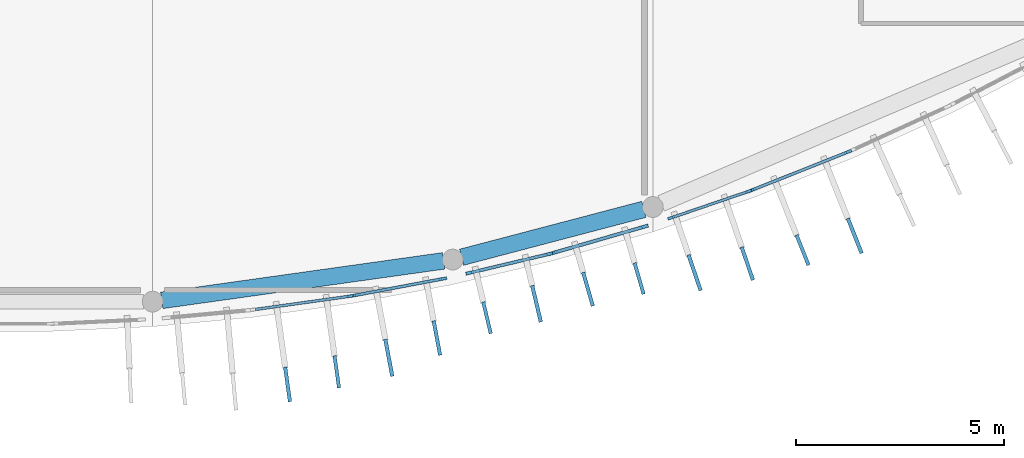
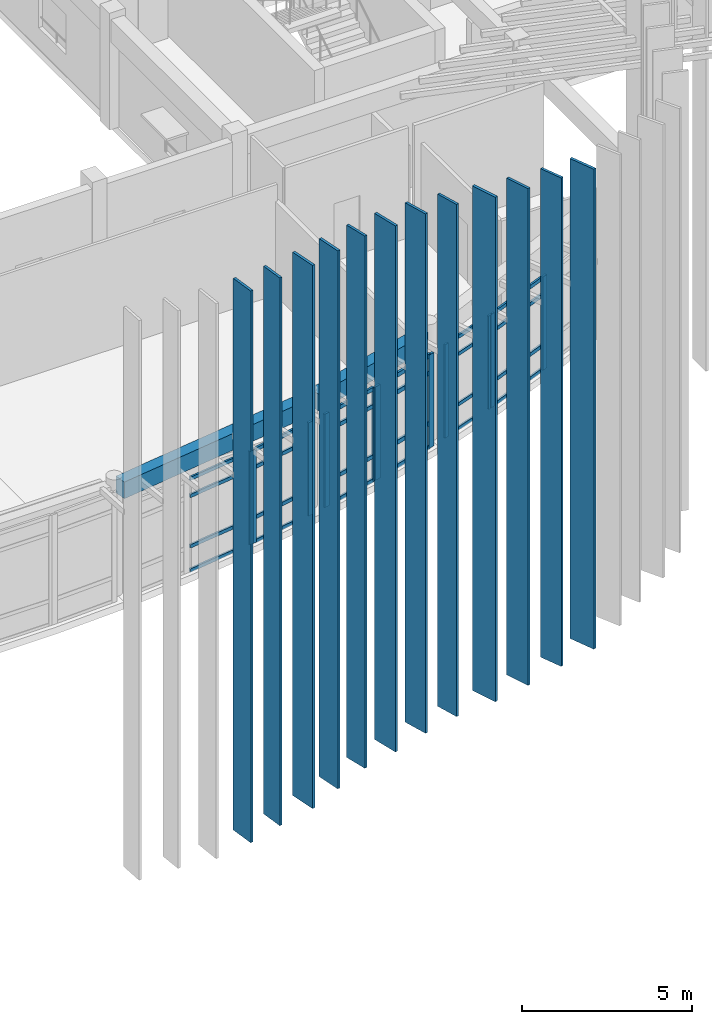
# One storey, part 9 of 47: 47 members, 2 beams, 6 elements without a shape of their own.
"""IFC4 building model written with IfcOpenShell, lengths in metres."""

from ifc_helpers import new_model, si_unit, direction, frame, origin, origin_2d, place, context, subcontext, project, spatial, rectangle, extrude, material, layer, layer_set, material_profile, profile_set, type_object, element, aggregate, save


model = new_model("IFC4")

# Units and contexts
model_context = context("Model", 3, precision=1e-05, world=origin(), true_north=direction((0.0, 1.0)))
body_context = subcontext(model_context, "Body", "Model", "MODEL_VIEW")
ifc_project = project(units=[si_unit("LENGTHUNIT", "METRE"), si_unit("AREAUNIT", "SQUARE_METRE"), si_unit("VOLUMEUNIT", "CUBIC_METRE"), si_unit("PLANEANGLEUNIT", "RADIAN"), si_unit("MASSUNIT", "GRAM", prefix="KILO")], contexts=[model_context])

# Site, building, storey
site_placement = place(None, origin())
site = spatial("IfcSite", under=ifc_project, at=site_placement, CompositionType="ELEMENT")
building_placement = place(site_placement, origin())
building = spatial("IfcBuilding", under=site, at=building_placement, Name="Brisavento Harbour Community Centre", CompositionType="ELEMENT")
storey_placement = place(building_placement, frame((0.0, 0.0, 8.699951171875)))
storey = spatial("IfcBuildingStorey", under=building, at=storey_placement, Name="L02", CompositionType="ELEMENT", Elevation=8.699951171875)

# Beams
ifc_material_1 = material(Name="Concrete C35/45", Category="concrete")
ifc_material_profile_1 = material_profile(ifc_material_1, rectangle(XDim=0.39990234375, YDim=0.60009765625, at=origin_2d()), Name="Concrete C35/45")
ifc_profile_set_1 = profile_set([ifc_material_profile_1], Name="Concrete C35/45")
beam_type = type_object("IfcBeamType", Name="BM-SPN-400x600", PredefinedType="SPANDREL", material=ifc_profile_set_1)
beam_1_placement = place(storey_placement, frame((29.017822265625, 0.75537109375, 3.66015625), z_axis=(0.990321318847, 0.138793679386, 0.0), x_axis=(-0.138793679386, 0.990321318847, 0.0)))
element("IfcBeam", 1, at=beam_1_placement, inside=storey, type_object=beam_type, Name="L02 curved perimeter spandrel 0636", PredefinedType="SPANDREL", context=body_context, shape_type="SweptSolid", body=[
    extrude(rectangle(XDim=0.39990234375, YDim=0.60009765625, at=origin_2d()), origin(), (0.0, 0.0, 1.0), 6.830322265625),
])
beam_2_placement = place(storey_placement, frame((36.212890625, 1.789794921875, 3.66015625), z_axis=(0.967167470078, 0.254139892232, 0.0), x_axis=(-0.254139892232, 0.967167470078, 0.0)))
element("IfcBeam", 2, at=beam_2_placement, inside=storey, type_object=beam_type, Name="L02 curved perimeter spandrel 0637", PredefinedType="SPANDREL", context=body_context, shape_type="SweptSolid", body=[
    extrude(rectangle(XDim=0.39990234375, YDim=0.60009765625, at=origin_2d()), origin(), (0.0, 0.0, 1.0), 4.522705078125),
])

# Curtain wall, member
ifc_material_2 = material(Name="Marine-anodised aluminium AW-6063-T6", Category="aluminium")
ifc_layer_1 = layer(ifc_material_2, 0.179931640625, Name="Marine-anodised aluminium AW-6063-T6")
ifc_layer_set_1 = layer_set([ifc_layer_1], Name="Marine-anodised aluminium AW-6063-T6")
curtain_wall_type_1 = type_object("IfcCurtainWallType", Name="CW-SYS-21", PredefinedType="USERDEFINED", material=ifc_layer_set_1)
curtain_wall_1_placement = place(storey_placement, origin())
curtain_wall_1 = element("IfcCurtainWall", 3, at=curtain_wall_1_placement, inside=storey, type_object=curtain_wall_type_1, Name="L02 V1 unitised curtain wall 105", ObjectType="UNITISED CURTAIN WALL", PredefinedType="USERDEFINED")
ifc_material_profile_2 = material_profile(ifc_material_2, rectangle(XDim=0.06494140625, YDim=0.1650390625, at=origin_2d()), Name="Marine-anodised aluminium AW-6063-T6")
ifc_profile_set_2 = profile_set([ifc_material_profile_2], Name="Marine-anodised aluminium AW-6063-T6")
member_type_1 = type_object("IfcMemberType", Name="CWM-01", PredefinedType="MULLION", material=ifc_profile_set_2)
member_1_placement = place(storey_placement, frame((33.525146484375, 0.854248046875, 0.0), z_axis=(0.0, 0.0, 1.0), x_axis=(0.138476944024, -0.990365657711, 0.0)))
member_1 = element("IfcMember", 4, at=member_1_placement, type_object=member_type_1, Name="CW-21 mullion 1", PredefinedType="MULLION", context=body_context, shape_type="SweptSolid", body=[
    extrude(rectangle(XDim=0.06494140625, YDim=0.1650390625, at=origin_2d()), origin(), (0.0, 0.0, 1.0), 3.360107421875),
])

# Curtain wall, members
ifc_layer_2 = layer(ifc_material_2, 0.179931640625, Name="Marine-anodised aluminium AW-6063-T6")
ifc_layer_set_2 = layer_set([ifc_layer_2], Name="Marine-anodised aluminium AW-6063-T6")
curtain_wall_type_2 = type_object("IfcCurtainWallType", Name="CW-SYS-25", PredefinedType="USERDEFINED", material=ifc_layer_set_2)
curtain_wall_2_placement = place(storey_placement, origin())
curtain_wall_2 = element("IfcCurtainWall", 5, at=curtain_wall_2_placement, inside=storey, type_object=curtain_wall_type_2, Name="L02 V1 unitised curtain wall 109", ObjectType="UNITISED CURTAIN WALL", PredefinedType="USERDEFINED")
member_2_placement = place(storey_placement, frame((43.093994140625, 3.368896484375, 0.0), z_axis=(0.0, 0.0, 1.0), x_axis=(0.323178425743, -0.946338050136, 0.0)))
member_2 = element("IfcMember", 6, at=member_2_placement, type_object=member_type_1, Name="CW-25 mullion 1", PredefinedType="MULLION", context=body_context, shape_type="SweptSolid", body=[
    extrude(rectangle(XDim=0.06494140625, YDim=0.1650390625, at=origin_2d()), origin(), (0.0, 0.0, 1.0), 3.360107421875),
])
member_3_placement = place(storey_placement, frame((41.2421875, 2.736328125, 0.0), z_axis=(0.0, 0.0, 1.0), x_axis=(0.323178425743, -0.946338050136, 0.0)))
member_3 = element("IfcMember", 7, at=member_3_placement, type_object=member_type_1, Name="CW-25 mullion 2", PredefinedType="MULLION", context=body_context, shape_type="SweptSolid", body=[
    extrude(rectangle(XDim=0.06494140625, YDim=0.1650390625, at=origin_2d()), origin(), (0.0, 0.0, 1.0), 3.360107421875),
])

ifc_layer_3 = layer(ifc_material_2, 0.179931640625, Name="Marine-anodised aluminium AW-6063-T6")
ifc_layer_set_3 = layer_set([ifc_layer_3], Name="Marine-anodised aluminium AW-6063-T6")
curtain_wall_type_3 = type_object("IfcCurtainWallType", Name="CW-SYS-22", PredefinedType="USERDEFINED", material=ifc_layer_set_3)
curtain_wall_3_placement = place(storey_placement, origin())
curtain_wall_3 = element("IfcCurtainWall", 8, at=curtain_wall_3_placement, inside=storey, type_object=curtain_wall_type_3, Name="L02 V1 unitised curtain wall 106", ObjectType="UNITISED CURTAIN WALL", PredefinedType="USERDEFINED")
ifc_material_profile_3 = material_profile(ifc_material_2, rectangle(XDim=0.070068359375, YDim=0.179931640625, at=origin_2d()), Name="Marine-anodised aluminium AW-6063-T6")
ifc_profile_set_3 = profile_set([ifc_material_profile_3], Name="Marine-anodised aluminium AW-6063-T6")
member_type_2 = type_object("IfcMemberType", Name="CWM-02", PredefinedType="MULLION", material=ifc_profile_set_3)
member_4_placement = place(storey_placement, frame((35.76904296875, 1.273681640625, 0.0), z_axis=(0.0, 0.0, 1.0), x_axis=(0.184689637418, -0.982796895513, 0.0)))
member_4 = element("IfcMember", 9, at=member_4_placement, type_object=member_type_2, Name="CW-22 mullion 1", PredefinedType="MULLION", context=body_context, shape_type="SweptSolid", body=[
    extrude(rectangle(XDim=0.070068359375, YDim=0.179931640625, at=origin_2d()), origin(), (0.0, 0.0, 1.0), 3.360107421875),
])
member_5_placement = place(storey_placement, frame((33.618896484375, 0.86962890625, 0.0), z_axis=(0.0, 0.0, 1.0), x_axis=(0.184689637418, -0.982796895513, 0.0)))
member_5 = element("IfcMember", 10, at=member_5_placement, type_object=member_type_2, Name="CW-22 mullion 2", PredefinedType="MULLION", context=body_context, shape_type="SweptSolid", body=[
    extrude(rectangle(XDim=0.070068359375, YDim=0.179931640625, at=origin_2d()), origin(), (0.0, 0.0, 1.0), 3.360107421875),
])

ifc_layer_4 = layer(ifc_material_2, 0.179931640625, Name="Marine-anodised aluminium AW-6063-T6")
ifc_layer_set_4 = layer_set([ifc_layer_4], Name="Marine-anodised aluminium AW-6063-T6")
curtain_wall_type_4 = type_object("IfcCurtainWallType", Name="CW-SYS-26", PredefinedType="USERDEFINED", material=ifc_layer_set_4)
curtain_wall_4_placement = place(storey_placement, origin())
curtain_wall_4 = element("IfcCurtainWall", 11, at=curtain_wall_4_placement, inside=storey, type_object=curtain_wall_type_4, Name="L02 V1 unitised curtain wall 110", ObjectType="UNITISED CURTAIN WALL", PredefinedType="USERDEFINED")
member_6_placement = place(storey_placement, frame((45.484375, 4.31640625, 0.0), z_axis=(0.0, 0.0, 1.0), x_axis=(0.369379094613, -0.929278798027, 0.0)))
member_6 = element("IfcMember", 12, at=member_6_placement, type_object=member_type_2, Name="CW-26 mullion 1", PredefinedType="MULLION", context=body_context, shape_type="SweptSolid", body=[
    extrude(rectangle(XDim=0.070068359375, YDim=0.179931640625, at=origin_2d()), origin(), (0.0, 0.0, 1.0), 3.360107421875),
])
member_7_placement = place(storey_placement, frame((43.1826171875, 3.401611328125, 0.0), z_axis=(0.0, 0.0, 1.0), x_axis=(0.369379094613, -0.929278798027, 0.0)))
member_7 = element("IfcMember", 13, at=member_7_placement, type_object=member_type_2, Name="CW-26 mullion 2", PredefinedType="MULLION", context=body_context, shape_type="SweptSolid", body=[
    extrude(rectangle(XDim=0.070068359375, YDim=0.179931640625, at=origin_2d()), origin(), (0.0, 0.0, 1.0), 3.360107421875),
])

ifc_layer_5 = layer(ifc_material_2, 0.179931640625, Name="Marine-anodised aluminium AW-6063-T6")
ifc_layer_set_5 = layer_set([ifc_layer_5], Name="Marine-anodised aluminium AW-6063-T6")
curtain_wall_type_5 = type_object("IfcCurtainWallType", Name="CW-SYS-23", PredefinedType="USERDEFINED", material=ifc_layer_set_5)
curtain_wall_5_placement = place(storey_placement, origin())
curtain_wall_5 = element("IfcCurtainWall", 14, at=curtain_wall_5_placement, inside=storey, type_object=curtain_wall_type_5, Name="L02 V1 unitised curtain wall 107", ObjectType="UNITISED CURTAIN WALL", PredefinedType="USERDEFINED")
ifc_material_profile_4 = material_profile(ifc_material_2, rectangle(XDim=0.074951171875, YDim=0.18994140625, at=origin_2d()), Name="Marine-anodised aluminium AW-6063-T6")
ifc_profile_set_4 = profile_set([ifc_material_profile_4], Name="Marine-anodised aluminium AW-6063-T6")
member_type_3 = type_object("IfcMemberType", Name="CWM-03", PredefinedType="MULLION", material=ifc_profile_set_4)
member_8_placement = place(storey_placement, frame((38.304443359375, 1.865478515625, 0.0), z_axis=(0.0, 0.0, 1.0), x_axis=(0.230812289714, -0.972998297489, 0.0)))
member_8 = element("IfcMember", 15, at=member_8_placement, type_object=member_type_3, Name="CW-23 mullion 1", PredefinedType="MULLION", context=body_context, shape_type="SweptSolid", body=[
    extrude(rectangle(XDim=0.074951171875, YDim=0.18994140625, at=origin_2d()), origin(), (0.0, 0.0, 1.0), 3.360107421875),
])
member_9_placement = place(storey_placement, frame((36.407958984375, 1.415771484375, 0.0), z_axis=(0.0, 0.0, 1.0), x_axis=(0.230812289714, -0.972998297489, 0.0)))
member_9 = element("IfcMember", 16, at=member_9_placement, type_object=member_type_3, Name="CW-23 mullion 2", PredefinedType="MULLION", context=body_context, shape_type="SweptSolid", body=[
    extrude(rectangle(XDim=0.074951171875, YDim=0.18994140625, at=origin_2d()), origin(), (0.0, 0.0, 1.0), 3.360107421875),
])

ifc_layer_6 = layer(ifc_material_2, 0.179931640625, Name="Marine-anodised aluminium AW-6063-T6")
ifc_layer_set_6 = layer_set([ifc_layer_6], Name="Marine-anodised aluminium AW-6063-T6")
curtain_wall_type_6 = type_object("IfcCurtainWallType", Name="CW-SYS-24", PredefinedType="USERDEFINED", material=ifc_layer_set_6)
curtain_wall_6_placement = place(storey_placement, origin())
curtain_wall_6 = element("IfcCurtainWall", 17, at=curtain_wall_6_placement, inside=storey, type_object=curtain_wall_type_6, Name="L02 V1 unitised curtain wall 108", ObjectType="UNITISED CURTAIN WALL", PredefinedType="USERDEFINED")
ifc_material_profile_5 = material_profile(ifc_material_2, rectangle(XDim=0.080078125, YDim=0.2099609375, at=origin_2d()), Name="Marine-anodised aluminium AW-6063-T6")
ifc_profile_set_5 = profile_set([ifc_material_profile_5], Name="Marine-anodised aluminium AW-6063-T6")
member_type_4 = type_object("IfcMemberType", Name="CWM-04", PredefinedType="MULLION", material=ifc_profile_set_5)
member_10_placement = place(storey_placement, frame((40.58837890625, 2.521484375, 0.0), z_axis=(0.0, 0.0, 1.0), x_axis=(0.277011917183, -0.960866482785, 0.0)))
member_10 = element("IfcMember", 18, at=member_10_placement, type_object=member_type_4, Name="CW-24 mullion 1", PredefinedType="MULLION", context=body_context, shape_type="SweptSolid", body=[
    extrude(rectangle(XDim=0.080078125, YDim=0.2099609375, at=origin_2d()), origin(), (0.0, 0.0, 1.0), 3.360107421875),
])
member_11_placement = place(storey_placement, frame((38.40576171875, 1.892333984375, 0.0), z_axis=(0.0, 0.0, 1.0), x_axis=(0.277011917183, -0.960866482785, 0.0)))
member_11 = element("IfcMember", 19, at=member_11_placement, type_object=member_type_4, Name="CW-24 mullion 2", PredefinedType="MULLION", context=body_context, shape_type="SweptSolid", body=[
    extrude(rectangle(XDim=0.080078125, YDim=0.2099609375, at=origin_2d()), origin(), (0.0, 0.0, 1.0), 3.360107421875),
])

# Member
ifc_material_profile_6 = material_profile(ifc_material_2, rectangle(XDim=0.06494140625, YDim=0.125, at=origin_2d()), Name="Marine-anodised aluminium AW-6063-T6")
ifc_profile_set_6 = profile_set([ifc_material_profile_6], Name="Marine-anodised aluminium AW-6063-T6")
member_type_5 = type_object("IfcMemberType", Name="CWT-01", PredefinedType="USERDEFINED", material=ifc_profile_set_6)
member_12_placement = place(storey_placement, frame((33.492919921875, 0.849609375, 0.032470703125), z_axis=(-0.990371128521, -0.138437812002, 0.0), x_axis=(0.138437812002, -0.990371128521, 0.0)))
member_12 = element("IfcMember", 20, at=member_12_placement, type_object=member_type_5, Name="CW-21 transom 1.1", ObjectType="TRANSOM", PredefinedType="USERDEFINED", context=body_context, shape_type="SweptSolid", body=[
    extrude(rectangle(XDim=0.06494140625, YDim=0.125, at=origin_2d()), origin(), (0.0, 0.0, 1.0), 2.25732421875),
])

member_13_placement = place(storey_placement, frame((33.492919921875, 0.849609375, 0.900146484375), z_axis=(-0.990371128521, -0.138437812002, 0.0), x_axis=(0.138437812002, -0.990371128521, 0.0)))
member_13 = element("IfcMember", 21, at=member_13_placement, type_object=member_type_5, Name="CW-21 transom 1.2", ObjectType="TRANSOM", PredefinedType="USERDEFINED", context=body_context, shape_type="SweptSolid", body=[
    extrude(rectangle(XDim=0.06494140625, YDim=0.125, at=origin_2d()), origin(), (0.0, 0.0, 1.0), 2.25732421875),
])

member_14_placement = place(storey_placement, frame((33.492919921875, 0.849609375, 2.7099609375), z_axis=(-0.990371128521, -0.138437812002, 0.0), x_axis=(0.138437812002, -0.990371128521, 0.0)))
member_14 = element("IfcMember", 22, at=member_14_placement, type_object=member_type_5, Name="CW-21 transom 1.3", ObjectType="TRANSOM", PredefinedType="USERDEFINED", context=body_context, shape_type="SweptSolid", body=[
    extrude(rectangle(XDim=0.06494140625, YDim=0.125, at=origin_2d()), origin(), (0.0, 0.0, 1.0), 2.25732421875),
])

member_15_placement = place(storey_placement, frame((33.492919921875, 0.849609375, 3.32763671875), z_axis=(-0.990371128521, -0.138437812002, 0.0), x_axis=(0.138437812002, -0.990371128521, 0.0)))
member_15 = element("IfcMember", 23, at=member_15_placement, type_object=member_type_5, Name="CW-21 transom 1.4", ObjectType="TRANSOM", PredefinedType="USERDEFINED", context=body_context, shape_type="SweptSolid", body=[
    extrude(rectangle(XDim=0.06494140625, YDim=0.125, at=origin_2d()), origin(), (0.0, 0.0, 1.0), 2.25732421875),
])

aggregate(curtain_wall_1, [member_1, member_12, member_13, member_14, member_15])

member_16_placement = place(storey_placement, frame((43.063232421875, 3.3583984375, 0.032470703125), z_axis=(-0.946308459465, -0.323265060816, 0.0), x_axis=(0.323265060816, -0.946308459465, 0.0)))
member_16 = element("IfcMember", 24, at=member_16_placement, type_object=member_type_5, Name="CW-25 transom 1.1", ObjectType="TRANSOM", PredefinedType="USERDEFINED", context=body_context, shape_type="SweptSolid", body=[
    extrude(rectangle(XDim=0.06494140625, YDim=0.125, at=origin_2d()), origin(), (0.0, 0.0, 1.0), 1.891845703125),
])

member_17_placement = place(storey_placement, frame((43.063232421875, 3.3583984375, 0.900146484375), z_axis=(-0.946308459465, -0.323265060816, 0.0), x_axis=(0.323265060816, -0.946308459465, 0.0)))
member_17 = element("IfcMember", 25, at=member_17_placement, type_object=member_type_5, Name="CW-25 transom 1.2", ObjectType="TRANSOM", PredefinedType="USERDEFINED", context=body_context, shape_type="SweptSolid", body=[
    extrude(rectangle(XDim=0.06494140625, YDim=0.125, at=origin_2d()), origin(), (0.0, 0.0, 1.0), 1.891845703125),
])

member_18_placement = place(storey_placement, frame((43.063232421875, 3.3583984375, 2.7099609375), z_axis=(-0.946308459465, -0.323265060816, 0.0), x_axis=(0.323265060816, -0.946308459465, 0.0)))
member_18 = element("IfcMember", 26, at=member_18_placement, type_object=member_type_5, Name="CW-25 transom 1.3", ObjectType="TRANSOM", PredefinedType="USERDEFINED", context=body_context, shape_type="SweptSolid", body=[
    extrude(rectangle(XDim=0.06494140625, YDim=0.125, at=origin_2d()), origin(), (0.0, 0.0, 1.0), 1.891845703125),
])

member_19_placement = place(storey_placement, frame((43.063232421875, 3.3583984375, 3.32763671875), z_axis=(-0.946308459465, -0.323265060816, 0.0), x_axis=(0.323265060816, -0.946308459465, 0.0)))
member_19 = element("IfcMember", 27, at=member_19_placement, type_object=member_type_5, Name="CW-25 transom 1.4", ObjectType="TRANSOM", PredefinedType="USERDEFINED", context=body_context, shape_type="SweptSolid", body=[
    extrude(rectangle(XDim=0.06494140625, YDim=0.125, at=origin_2d()), origin(), (0.0, 0.0, 1.0), 1.891845703125),
])

aggregate(curtain_wall_2, [member_2, member_3, member_16, member_17, member_18, member_19])

ifc_material_profile_7 = material_profile(ifc_material_2, rectangle(XDim=0.070068359375, YDim=0.132080078125, at=origin_2d()), Name="Marine-anodised aluminium AW-6063-T6")
ifc_profile_set_7 = profile_set([ifc_material_profile_7], Name="Marine-anodised aluminium AW-6063-T6")
member_type_6 = type_object("IfcMemberType", Name="CWT-02", PredefinedType="USERDEFINED", material=ifc_profile_set_7)
member_20_placement = place(storey_placement, frame((35.734619140625, 1.267333984375, 0.03515625), z_axis=(-0.982797715927, -0.184685271662, 0.0), x_axis=(0.184685271662, -0.982797715927, 0.0)))
member_20 = element("IfcMember", 28, at=member_20_placement, type_object=member_type_6, Name="CW-22 transom 1.1", ObjectType="TRANSOM", PredefinedType="USERDEFINED", context=body_context, shape_type="SweptSolid", body=[
    extrude(rectangle(XDim=0.070068359375, YDim=0.132080078125, at=origin_2d()), origin(), (0.0, 0.0, 1.0), 2.11767578125),
])

member_21_placement = place(storey_placement, frame((35.734619140625, 1.267333984375, 0.900146484375), z_axis=(-0.982797715927, -0.184685271662, 0.0), x_axis=(0.184685271662, -0.982797715927, 0.0)))
member_21 = element("IfcMember", 29, at=member_21_placement, type_object=member_type_6, Name="CW-22 transom 1.2", ObjectType="TRANSOM", PredefinedType="USERDEFINED", context=body_context, shape_type="SweptSolid", body=[
    extrude(rectangle(XDim=0.070068359375, YDim=0.132080078125, at=origin_2d()), origin(), (0.0, 0.0, 1.0), 2.11767578125),
])

member_22_placement = place(storey_placement, frame((35.734619140625, 1.267333984375, 2.7099609375), z_axis=(-0.982797715927, -0.184685271662, 0.0), x_axis=(0.184685271662, -0.982797715927, 0.0)))
member_22 = element("IfcMember", 30, at=member_22_placement, type_object=member_type_6, Name="CW-22 transom 1.3", ObjectType="TRANSOM", PredefinedType="USERDEFINED", context=body_context, shape_type="SweptSolid", body=[
    extrude(rectangle(XDim=0.070068359375, YDim=0.132080078125, at=origin_2d()), origin(), (0.0, 0.0, 1.0), 2.11767578125),
])

member_23_placement = place(storey_placement, frame((35.734619140625, 1.267333984375, 3.324951171875), z_axis=(-0.982797715927, -0.184685271662, 0.0), x_axis=(0.184685271662, -0.982797715927, 0.0)))
member_23 = element("IfcMember", 31, at=member_23_placement, type_object=member_type_6, Name="CW-22 transom 1.4", ObjectType="TRANSOM", PredefinedType="USERDEFINED", context=body_context, shape_type="SweptSolid", body=[
    extrude(rectangle(XDim=0.070068359375, YDim=0.132080078125, at=origin_2d()), origin(), (0.0, 0.0, 1.0), 2.11767578125),
])

aggregate(curtain_wall_3, [member_4, member_5, member_20, member_21, member_22, member_23])

member_24_placement = place(storey_placement, frame((45.45166015625, 4.303466796875, 0.03515625), z_axis=(-0.929279112917, -0.369378302416, 0.0), x_axis=(0.369378302416, -0.929279112917, 0.0)))
member_24 = element("IfcMember", 32, at=member_24_placement, type_object=member_type_6, Name="CW-26 transom 1.1", ObjectType="TRANSOM", PredefinedType="USERDEFINED", context=body_context, shape_type="SweptSolid", body=[
    extrude(rectangle(XDim=0.070068359375, YDim=0.132080078125, at=origin_2d()), origin(), (0.0, 0.0, 1.0), 2.406494140625),
])

member_25_placement = place(storey_placement, frame((45.45166015625, 4.303466796875, 0.900146484375), z_axis=(-0.929279112917, -0.369378302416, 0.0), x_axis=(0.369378302416, -0.929279112917, 0.0)))
member_25 = element("IfcMember", 33, at=member_25_placement, type_object=member_type_6, Name="CW-26 transom 1.2", ObjectType="TRANSOM", PredefinedType="USERDEFINED", context=body_context, shape_type="SweptSolid", body=[
    extrude(rectangle(XDim=0.070068359375, YDim=0.132080078125, at=origin_2d()), origin(), (0.0, 0.0, 1.0), 2.406494140625),
])

member_26_placement = place(storey_placement, frame((45.45166015625, 4.303466796875, 2.7099609375), z_axis=(-0.929279112917, -0.369378302416, 0.0), x_axis=(0.369378302416, -0.929279112917, 0.0)))
member_26 = element("IfcMember", 34, at=member_26_placement, type_object=member_type_6, Name="CW-26 transom 1.3", ObjectType="TRANSOM", PredefinedType="USERDEFINED", context=body_context, shape_type="SweptSolid", body=[
    extrude(rectangle(XDim=0.070068359375, YDim=0.132080078125, at=origin_2d()), origin(), (0.0, 0.0, 1.0), 2.406494140625),
])

member_27_placement = place(storey_placement, frame((45.45166015625, 4.303466796875, 3.324951171875), z_axis=(-0.929279112917, -0.369378302416, 0.0), x_axis=(0.369378302416, -0.929279112917, 0.0)))
member_27 = element("IfcMember", 35, at=member_27_placement, type_object=member_type_6, Name="CW-26 transom 1.4", ObjectType="TRANSOM", PredefinedType="USERDEFINED", context=body_context, shape_type="SweptSolid", body=[
    extrude(rectangle(XDim=0.070068359375, YDim=0.132080078125, at=origin_2d()), origin(), (0.0, 0.0, 1.0), 2.406494140625),
])

aggregate(curtain_wall_4, [member_6, member_7, member_24, member_25, member_26, member_27])

ifc_material_profile_8 = material_profile(ifc_material_2, rectangle(XDim=0.074951171875, YDim=0.139892578125, at=origin_2d()), Name="Marine-anodised aluminium AW-6063-T6")
ifc_profile_set_8 = profile_set([ifc_material_profile_8], Name="Marine-anodised aluminium AW-6063-T6")
member_type_7 = type_object("IfcMemberType", Name="CWT-03", PredefinedType="USERDEFINED", material=ifc_profile_set_8)
member_28_placement = place(storey_placement, frame((38.267822265625, 1.85693359375, 0.03759765625), z_axis=(-0.972991802662, -0.2308396672, 0.0), x_axis=(0.2308396672, -0.972991802662, 0.0)))
member_28 = element("IfcMember", 36, at=member_28_placement, type_object=member_type_7, Name="CW-23 transom 1.1", ObjectType="TRANSOM", PredefinedType="USERDEFINED", context=body_context, shape_type="SweptSolid", body=[
    extrude(rectangle(XDim=0.074951171875, YDim=0.139892578125, at=origin_2d()), origin(), (0.0, 0.0, 1.0), 1.8740234375),
])

member_29_placement = place(storey_placement, frame((38.267822265625, 1.85693359375, 0.900146484375), z_axis=(-0.972991802662, -0.2308396672, 0.0), x_axis=(0.2308396672, -0.972991802662, 0.0)))
member_29 = element("IfcMember", 37, at=member_29_placement, type_object=member_type_7, Name="CW-23 transom 1.2", ObjectType="TRANSOM", PredefinedType="USERDEFINED", context=body_context, shape_type="SweptSolid", body=[
    extrude(rectangle(XDim=0.074951171875, YDim=0.139892578125, at=origin_2d()), origin(), (0.0, 0.0, 1.0), 1.8740234375),
])

member_30_placement = place(storey_placement, frame((38.267822265625, 1.85693359375, 2.7099609375), z_axis=(-0.972991802662, -0.2308396672, 0.0), x_axis=(0.2308396672, -0.972991802662, 0.0)))
member_30 = element("IfcMember", 38, at=member_30_placement, type_object=member_type_7, Name="CW-23 transom 1.3", ObjectType="TRANSOM", PredefinedType="USERDEFINED", context=body_context, shape_type="SweptSolid", body=[
    extrude(rectangle(XDim=0.074951171875, YDim=0.139892578125, at=origin_2d()), origin(), (0.0, 0.0, 1.0), 1.8740234375),
])

member_31_placement = place(storey_placement, frame((38.267822265625, 1.85693359375, 3.322509765625), z_axis=(-0.972991802662, -0.2308396672, 0.0), x_axis=(0.2308396672, -0.972991802662, 0.0)))
member_31 = element("IfcMember", 39, at=member_31_placement, type_object=member_type_7, Name="CW-23 transom 1.4", ObjectType="TRANSOM", PredefinedType="USERDEFINED", context=body_context, shape_type="SweptSolid", body=[
    extrude(rectangle(XDim=0.074951171875, YDim=0.139892578125, at=origin_2d()), origin(), (0.0, 0.0, 1.0), 1.8740234375),
])

aggregate(curtain_wall_5, [member_8, member_9, member_28, member_29, member_30, member_31])

ifc_material_profile_9 = material_profile(ifc_material_2, rectangle(XDim=0.080078125, YDim=0.155029296875, at=origin_2d()), Name="Marine-anodised aluminium AW-6063-T6")
ifc_profile_set_9 = profile_set([ifc_material_profile_9], Name="Marine-anodised aluminium AW-6063-T6")
member_type_8 = type_object("IfcMemberType", Name="CWT-04", PredefinedType="USERDEFINED", material=ifc_profile_set_9)
member_32_placement = place(storey_placement, frame((40.550048828125, 2.510498046875, 0.0400390625), z_axis=(-0.96085268232, -0.277059782137, 0.0), x_axis=(0.277059782137, -0.96085268232, 0.0)))
member_32 = element("IfcMember", 40, at=member_32_placement, type_object=member_type_8, Name="CW-24 transom 1.1", ObjectType="TRANSOM", PredefinedType="USERDEFINED", context=body_context, shape_type="SweptSolid", body=[
    extrude(rectangle(XDim=0.080078125, YDim=0.155029296875, at=origin_2d()), origin(), (0.0, 0.0, 1.0), 2.19140625),
])

member_33_placement = place(storey_placement, frame((40.550048828125, 2.510498046875, 0.900146484375), z_axis=(-0.96085268232, -0.277059782137, 0.0), x_axis=(0.277059782137, -0.96085268232, 0.0)))
member_33 = element("IfcMember", 41, at=member_33_placement, type_object=member_type_8, Name="CW-24 transom 1.2", ObjectType="TRANSOM", PredefinedType="USERDEFINED", context=body_context, shape_type="SweptSolid", body=[
    extrude(rectangle(XDim=0.080078125, YDim=0.155029296875, at=origin_2d()), origin(), (0.0, 0.0, 1.0), 2.19140625),
])

member_34_placement = place(storey_placement, frame((40.550048828125, 2.510498046875, 2.7099609375), z_axis=(-0.96085268232, -0.277059782137, 0.0), x_axis=(0.277059782137, -0.96085268232, 0.0)))
member_34 = element("IfcMember", 42, at=member_34_placement, type_object=member_type_8, Name="CW-24 transom 1.3", ObjectType="TRANSOM", PredefinedType="USERDEFINED", context=body_context, shape_type="SweptSolid", body=[
    extrude(rectangle(XDim=0.080078125, YDim=0.155029296875, at=origin_2d()), origin(), (0.0, 0.0, 1.0), 2.19140625),
])

member_35_placement = place(storey_placement, frame((40.550048828125, 2.510498046875, 3.320068359375), z_axis=(-0.96085268232, -0.277059782137, 0.0), x_axis=(0.277059782137, -0.96085268232, 0.0)))
member_35 = element("IfcMember", 43, at=member_35_placement, type_object=member_type_8, Name="CW-24 transom 1.4", ObjectType="TRANSOM", PredefinedType="USERDEFINED", context=body_context, shape_type="SweptSolid", body=[
    extrude(rectangle(XDim=0.080078125, YDim=0.155029296875, at=origin_2d()), origin(), (0.0, 0.0, 1.0), 2.19140625),
])

aggregate(curtain_wall_6, [member_10, member_11, member_32, member_33, member_34, member_35])

# Members
ifc_material_3 = material(Name="Off-white marine-anodised aluminium AW-6063-T6", Category="aluminium")
ifc_material_profile_10 = material_profile(ifc_material_3, rectangle(XDim=0.090087890625, YDim=0.89990234375, at=origin_2d()), Name="Off-white marine-anodised aluminium AW-6063-T6")
ifc_profile_set_10 = profile_set([ifc_material_profile_10], Name="Off-white marine-anodised aluminium AW-6063-T6")
member_type_9 = type_object("IfcMemberType", Name="FIN-STORM-1", PredefinedType="USERDEFINED", material=ifc_profile_set_10)
member_36_placement = place(storey_placement, frame((34.466552734375, -0.623046875, -8.699951171875), z_axis=(0.0, 0.0, 1.0), x_axis=(-0.982800241691, -0.184671830369, 0.0)))
element("IfcMember", 44, at=member_36_placement, inside=storey, type_object=member_type_9, Name="Standing-clear white storm fin 025", ObjectType="FIN", PredefinedType="USERDEFINED", context=body_context, shape_type="SweptSolid", body=[
    extrude(rectangle(XDim=0.090087890625, YDim=0.89990234375, at=origin_2d()), origin(), (0.0, 0.0, 1.0), 19.525634765625),
])
member_37_placement = place(storey_placement, frame((38.0107421875, 0.672607421875, -8.699951171875), z_axis=(0.0, 0.0, 1.0), x_axis=(-0.972993863389, -0.230830981037, 0.0)))
element("IfcMember", 45, at=member_37_placement, inside=storey, type_object=member_type_9, Name="Standing-clear white storm fin 028", ObjectType="FIN", PredefinedType="USERDEFINED", context=body_context, shape_type="SweptSolid", body=[
    extrude(rectangle(XDim=0.090087890625, YDim=0.89990234375, at=origin_2d()), origin(), (0.0, 0.0, 1.0), 18.911376953125),
])
member_38_placement = place(storey_placement, frame((41.80322265625, 1.419189453125, -8.699951171875), z_axis=(0.0, 0.0, 1.0), x_axis=(-0.94633947115, -0.323174264667, 0.0)))
element("IfcMember", 46, at=member_38_placement, inside=storey, type_object=member_type_9, Name="Standing-clear white storm fin 031", ObjectType="FIN", PredefinedType="USERDEFINED", context=body_context, shape_type="SweptSolid", body=[
    extrude(rectangle(XDim=0.090087890625, YDim=0.89990234375, at=origin_2d()), origin(), (0.0, 0.0, 1.0), 18.140869140625),
])
member_39_placement = place(storey_placement, frame((45.64599609375, 2.30517578125, -8.699951171875), z_axis=(0.0, 0.0, 1.0), x_axis=(-0.92929381554, -0.369341311525, 0.0)))
element("IfcMember", 47, at=member_39_placement, inside=storey, type_object=member_type_9, Name="Standing-clear white storm fin 034", ObjectType="FIN", PredefinedType="USERDEFINED", context=body_context, shape_type="SweptSolid", body=[
    extrude(rectangle(XDim=0.090087890625, YDim=0.89990234375, at=origin_2d()), origin(), (0.0, 0.0, 1.0), 17.253173828125),
])
ifc_material_profile_11 = material_profile(ifc_material_3, rectangle(XDim=0.087890625, YDim=0.840087890625, at=origin_2d()), Name="Off-white marine-anodised aluminium AW-6063-T6")
ifc_profile_set_11 = profile_set([ifc_material_profile_11], Name="Off-white marine-anodised aluminium AW-6063-T6")
member_type_10 = type_object("IfcMemberType", Name="FIN-STORM-2", PredefinedType="USERDEFINED", material=ifc_profile_set_11)
member_40_placement = place(storey_placement, frame((32.03662109375, -1.26123046875, -8.699951171875), z_axis=(0.0, 0.0, 1.0), x_axis=(-0.990362571452, -0.138499014678, 0.0)))
element("IfcMember", 48, at=member_40_placement, inside=storey, type_object=member_type_10, Name="Standing-clear white storm fin 023", ObjectType="FIN", PredefinedType="USERDEFINED", context=body_context, shape_type="SweptSolid", body=[
    extrude(rectangle(XDim=0.087890625, YDim=0.840087890625, at=origin_2d()), origin(), (0.0, 0.0, 1.0), 19.8330078125),
])
member_41_placement = place(storey_placement, frame((35.619873046875, -0.148193359375, -8.699951171875), z_axis=(0.0, 0.0, 1.0), x_axis=(-0.982800241691, -0.184671830369, 0.0)))
element("IfcMember", 49, at=member_41_placement, inside=storey, type_object=member_type_10, Name="Standing-clear white storm fin 026", ObjectType="FIN", PredefinedType="USERDEFINED", context=body_context, shape_type="SweptSolid", body=[
    extrude(rectangle(XDim=0.087890625, YDim=0.840087890625, at=origin_2d()), origin(), (0.0, 0.0, 1.0), 19.340087890625),
])
member_42_placement = place(storey_placement, frame((39.24609375, 1.022705078125, -8.699951171875), z_axis=(0.0, 0.0, 1.0), x_axis=(-0.96087106235, -0.276996031628, 0.0)))
element("IfcMember", 50, at=member_42_placement, inside=storey, type_object=member_type_10, Name="Standing-clear white storm fin 029", ObjectType="FIN", PredefinedType="USERDEFINED", context=body_context, shape_type="SweptSolid", body=[
    extrude(rectangle(XDim=0.087890625, YDim=0.840087890625, at=origin_2d()), origin(), (0.0, 0.0, 1.0), 18.670166015625),
])
member_43_placement = place(storey_placement, frame((43.068359375, 1.638427734375, -8.699951171875), z_axis=(0.0, 0.0, 1.0), x_axis=(-0.94633947115, -0.323174264667, 0.0)))
element("IfcMember", 51, at=member_43_placement, inside=storey, type_object=member_type_10, Name="Standing-clear white storm fin 032", ObjectType="FIN", PredefinedType="USERDEFINED", context=body_context, shape_type="SweptSolid", body=[
    extrude(rectangle(XDim=0.087890625, YDim=0.840087890625, at=origin_2d()), origin(), (0.0, 0.0, 1.0), 17.85595703125),
])
ifc_material_profile_12 = material_profile(ifc_material_3, rectangle(XDim=0.0849609375, YDim=0.780029296875, at=origin_2d()), Name="Off-white marine-anodised aluminium AW-6063-T6")
ifc_profile_set_12 = profile_set([ifc_material_profile_12], Name="Off-white marine-anodised aluminium AW-6063-T6")
member_type_11 = type_object("IfcMemberType", Name="FIN-STORM-3", PredefinedType="USERDEFINED", material=ifc_profile_set_12)
member_44_placement = place(storey_placement, frame((33.218017578125, -0.959716796875, -8.699951171875), z_axis=(0.0, 0.0, 1.0), x_axis=(-0.990362571452, -0.138499014678, 0.0)))
element("IfcMember", 52, at=member_44_placement, inside=storey, type_object=member_type_11, Name="Standing-clear white storm fin 024", ObjectType="FIN", PredefinedType="USERDEFINED", context=body_context, shape_type="SweptSolid", body=[
    extrude(rectangle(XDim=0.0849609375, YDim=0.780029296875, at=origin_2d()), origin(), (0.0, 0.0, 1.0), 19.690185546875),
])
member_45_placement = place(storey_placement, frame((36.822509765625, 0.337890625, -8.699951171875), z_axis=(0.0, 0.0, 1.0), x_axis=(-0.972993863389, -0.230830981037, 0.0)))
element("IfcMember", 53, at=member_45_placement, inside=storey, type_object=member_type_11, Name="Standing-clear white storm fin 027", ObjectType="FIN", PredefinedType="USERDEFINED", context=body_context, shape_type="SweptSolid", body=[
    extrude(rectangle(XDim=0.0849609375, YDim=0.780029296875, at=origin_2d()), origin(), (0.0, 0.0, 1.0), 19.135009765625),
])
member_46_placement = place(storey_placement, frame((40.4716796875, 1.279541015625, -8.699951171875), z_axis=(0.0, 0.0, 1.0), x_axis=(-0.96087106235, -0.276996031628, 0.0)))
element("IfcMember", 54, at=member_46_placement, inside=storey, type_object=member_type_11, Name="Standing-clear white storm fin 030", ObjectType="FIN", PredefinedType="USERDEFINED", context=body_context, shape_type="SweptSolid", body=[
    extrude(rectangle(XDim=0.0849609375, YDim=0.780029296875, at=origin_2d()), origin(), (0.0, 0.0, 1.0), 18.412841796875),
])
member_47_placement = place(storey_placement, frame((44.392822265625, 1.961181640625, -8.699951171875), z_axis=(0.0, 0.0, 1.0), x_axis=(-0.92929381554, -0.369341311525, 0.0)))
element("IfcMember", 55, at=member_47_placement, inside=storey, type_object=member_type_11, Name="Standing-clear white storm fin 033", ObjectType="FIN", PredefinedType="USERDEFINED", context=body_context, shape_type="SweptSolid", body=[
    extrude(rectangle(XDim=0.0849609375, YDim=0.780029296875, at=origin_2d()), origin(), (0.0, 0.0, 1.0), 17.5595703125),
])

save(model, "model.ifc")
